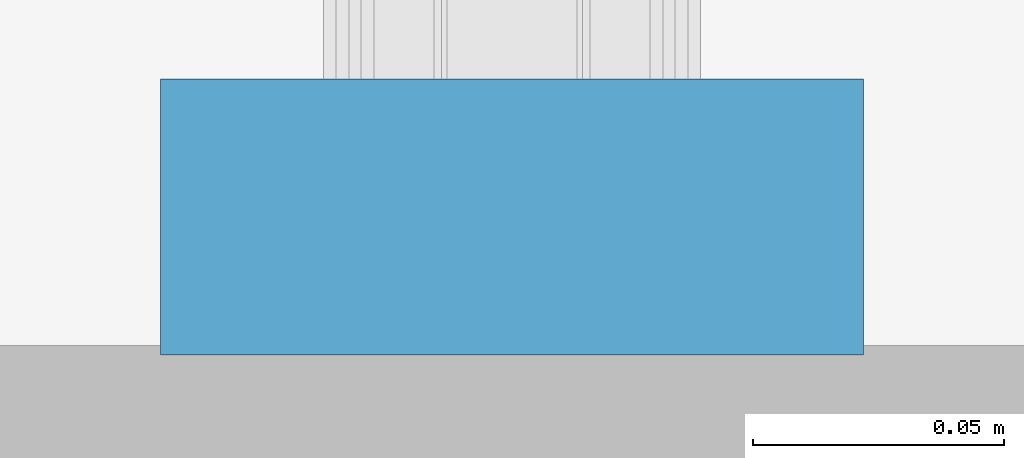
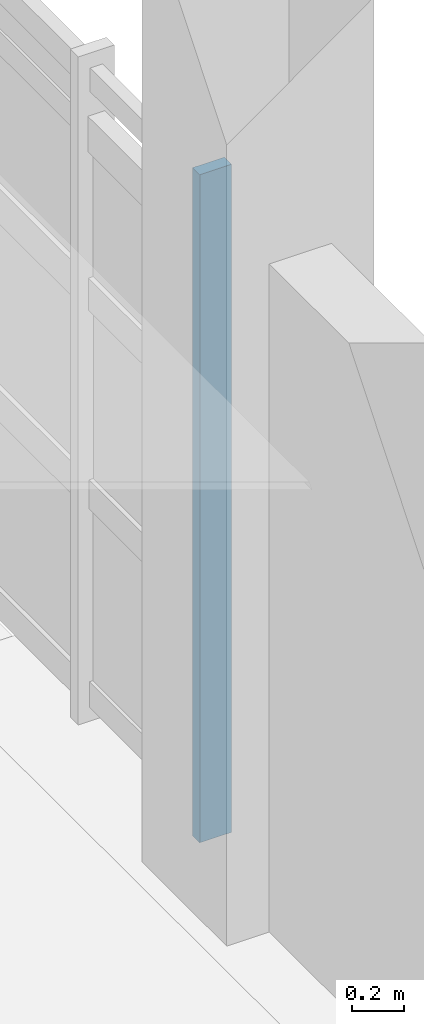
# One storey, part 45 of 125: 1 member, 1 element without a shape of its own.
"""IFC4 building model written with IfcOpenShell, lengths in metres."""

from ifc_helpers import new_model, si_unit, direction, frame, origin, origin_2d, place, context, subcontext, project, spatial, rectangle, extrude, material, material_profile, profile_set, type_object, element, aggregate, save


model = new_model("IFC4")

# Units and contexts
model_context = context("Model", 3, precision=1e-05, world=origin(), true_north=direction((0.0, 1.0)))
body_context = subcontext(model_context, "Body", "Model", "MODEL_VIEW")
ifc_project = project(units=[si_unit("LENGTHUNIT", "METRE"), si_unit("AREAUNIT", "SQUARE_METRE"), si_unit("VOLUMEUNIT", "CUBIC_METRE"), si_unit("PLANEANGLEUNIT", "RADIAN"), si_unit("MASSUNIT", "GRAM", prefix="KILO")], contexts=[model_context])

# Site, building, storey
site_placement = place(None, origin())
site = spatial("IfcSite", under=ifc_project, at=site_placement, CompositionType="ELEMENT")
building_placement = place(site_placement, origin())
building = spatial("IfcBuilding", under=site, at=building_placement, Name="Serraforn Aerial Cableway Station", CompositionType="ELEMENT")
storey_placement = place(building_placement, frame((0.0, 0.0, 4.5)))
storey = spatial("IfcBuildingStorey", under=building, at=storey_placement, Name="L01", CompositionType="ELEMENT", Elevation=4.5)

# Curtain wall, member
ifc_material_1 = material(Name="Anodised bronze unitised curtain wall")
curtain_wall_type = type_object("IfcCurtainWallType", Name="CW-SYS-7", PredefinedType="USERDEFINED", material=ifc_material_1)
curtain_wall_placement = place(storey_placement, origin())
curtain_wall = element("IfcCurtainWall", 1, at=curtain_wall_placement, inside=storey, type_object=curtain_wall_type, Name="Unitised Curtain Wall CW-EG-L01-E3A", ObjectType="UNITISED CURTAIN WALL", PredefinedType="USERDEFINED")
ifc_material_2 = material(Name="Anodised bronze extruded aluminium", Category="aluminium")
ifc_material_profile = material_profile(ifc_material_2, rectangle(XDim=0.054931640625, YDim=0.139892578125, at=origin_2d()), Name="CW MULLION 55x140")
ifc_profile_set = profile_set([ifc_material_profile], Name="Anodised bronze extruded aluminium")
member_type = type_object("IfcMemberType", Name="CW-MUL-1", PredefinedType="MULLION", material=ifc_profile_set)
member_placement = place(storey_placement, frame((168.0, 63.050537109375, 0.0), z_axis=(0.0, 0.0, 1.0), x_axis=(0.0, 1.0, 0.0)))
member = element("IfcMember", 2, at=member_placement, type_object=member_type, Name="Curtain Wall Mullion CW-EG-L01-E3A-M1", PredefinedType="MULLION", context=body_context, shape_type="SweptSolid", body=[
    extrude(rectangle(XDim=0.054931640625, YDim=0.139892578125, at=origin_2d()), origin(), (0.0, 0.0, 1.0), 3.1201171875),
])
aggregate(curtain_wall, [member])

save(model, "model.ifc")
